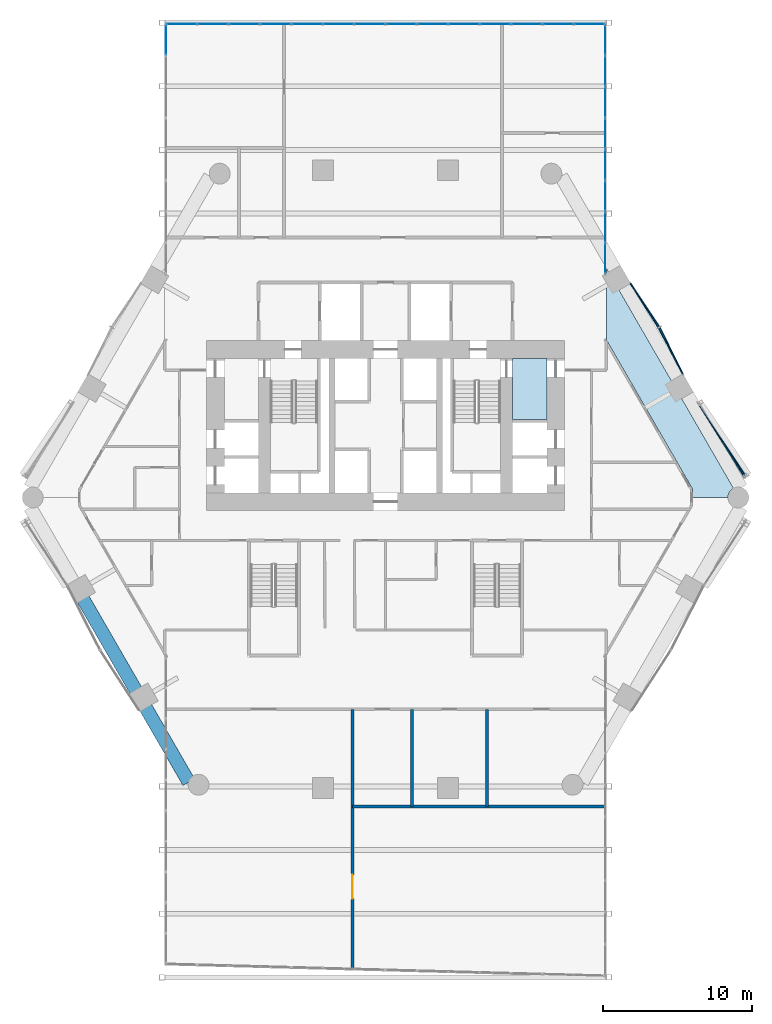
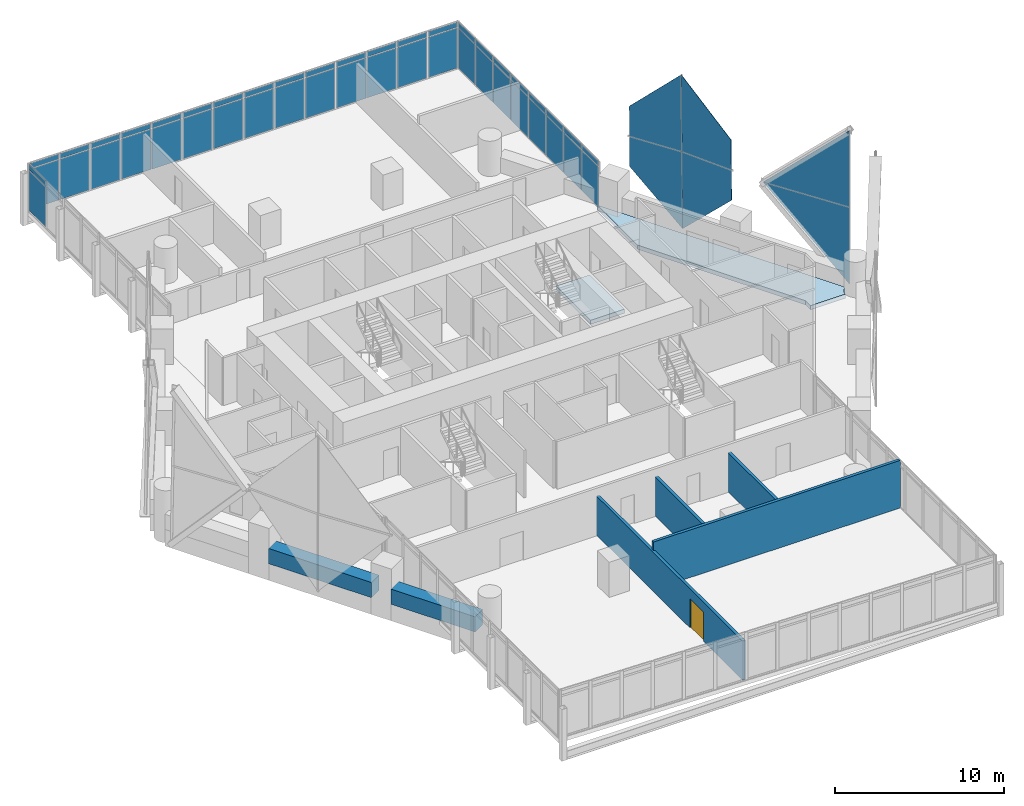
# One storey, part 25 of 35: 52 plates, 6 walls, 2 slabs, 1 door, 1 opening, 7 elements without a shape of their own.
"""IFC4 building model written with IfcOpenShell, lengths in metres."""

from ifc_helpers import new_model, si_unit, direction, frame, frame_2d, origin, origin_2d, place, context, subcontext, project, spatial, polyline, rectangle, outline, extrude, material, layer, layer_set, type_object, element, fill, aggregate, save


model = new_model("IFC4")

# Units and contexts
model_context = context("Model", 3, precision=1e-05, world=origin(), true_north=direction((0.0, 1.0)))
body_context = subcontext(model_context, "Body", "Model", "MODEL_VIEW")
ifc_project = project(units=[si_unit("LENGTHUNIT", "METRE"), si_unit("AREAUNIT", "SQUARE_METRE"), si_unit("VOLUMEUNIT", "CUBIC_METRE"), si_unit("PLANEANGLEUNIT", "RADIAN"), si_unit("MASSUNIT", "GRAM", prefix="KILO")], contexts=[model_context])

# Site, building, storey
site_placement = place(None, origin())
site = spatial("IfcSite", under=ifc_project, at=site_placement, CompositionType="ELEMENT")
building_placement = place(site_placement, origin())
building = spatial("IfcBuilding", under=site, at=building_placement, Name="Ostrander Bayou Hotel Tower", CompositionType="ELEMENT")
storey_placement = place(building_placement, frame((0.0, 0.0, 69.25)))
storey = spatial("IfcBuildingStorey", under=building, at=storey_placement, Name="L17", CompositionType="ELEMENT", Elevation=69.25)

# Curtain wall, plates
ifc_material_1 = material(Name="Aluminium and clear glass", Category="aluminium")
curtain_wall_type_1 = type_object("IfcCurtainWallType", Name="CW-BAR glazed wall", PredefinedType="NOTDEFINED", material=ifc_material_1)
curtain_wall_1_placement = place(storey_placement, origin())
curtain_wall_1 = element("IfcCurtainWall", 1, at=curtain_wall_1_placement, inside=storey, type_object=curtain_wall_type_1, Name="CW-BAR L17:SB1N:E", PredefinedType="NOTDEFINED")
ifc_material_2 = material(Name="Clear laminated glass", Category="glass")
ifc_layer_1 = layer(ifc_material_2, 0.028076171875)
ifc_layer_set_1 = layer_set([ifc_layer_1], Name="CW-BR glazing panel 28 mm")
plate_type_1 = type_object("IfcPlateType", Name="CW-BR glazing panel 28 mm", PredefinedType="CURTAIN_PANEL", material=ifc_layer_set_1)
plate_1_placement = place(storey_placement, frame((-14.712158203125, 29.824951171875, 0.06005859375), z_axis=(0.0, 0.0, 1.0), x_axis=(0.0, 1.0, 0.0)))
plate_1 = element("IfcPlate", 2, at=plate_1_placement, type_object=plate_type_1, Name="CW-BAR panel 8.1", PredefinedType="CURTAIN_PANEL", context=body_context, shape_type="SweptSolid", body=[
    extrude(rectangle(XDim=2.00244140625, YDim=0.028076171875, at=origin_2d()), origin(), (0.0, 0.0, 1.0), 2.909912109375),
])
plate_2_placement = place(storey_placement, frame((-14.712158203125, 29.824951171875, 3.02978515625), z_axis=(0.0, 0.0, 1.0), x_axis=(0.0, 1.0, 0.0)))
plate_2 = element("IfcPlate", 3, at=plate_2_placement, type_object=plate_type_1, Name="CW-BAR panel 8.2", PredefinedType="CURTAIN_PANEL", context=body_context, shape_type="SweptSolid", body=[
    extrude(rectangle(XDim=2.00244140625, YDim=0.028076171875, at=origin_2d()), origin(), (0.0, 0.0, 1.0), 0.360107421875),
])
aggregate(curtain_wall_1, [plate_1, plate_2])

curtain_wall_2_placement = place(storey_placement, origin())
curtain_wall_2 = element("IfcCurtainWall", 4, at=curtain_wall_2_placement, inside=storey, type_object=curtain_wall_type_1, Name="CW-BAR L17:SB1N:T", PredefinedType="NOTDEFINED")
plate_3_placement = place(storey_placement, frame((-13.646240234375, 30.88623046875, 0.06005859375), z_axis=(0.0, 0.0, 1.0), x_axis=(1.0, 0.0, 0.0)))
plate_3 = element("IfcPlate", 5, at=plate_3_placement, type_object=plate_type_1, Name="CW-BAR panel 1.1", PredefinedType="CURTAIN_PANEL", context=body_context, shape_type="SweptSolid", body=[
    extrude(rectangle(XDim=2.01171875, YDim=0.028076171875, at=origin_2d()), origin(), (0.0, 0.0, 1.0), 2.909912109375),
])
plate_4_placement = place(storey_placement, frame((-13.646240234375, 30.88623046875, 3.02978515625), z_axis=(0.0, 0.0, 1.0), x_axis=(1.0, 0.0, 0.0)))
plate_4 = element("IfcPlate", 6, at=plate_4_placement, type_object=plate_type_1, Name="CW-BAR panel 1.2", PredefinedType="CURTAIN_PANEL", context=body_context, shape_type="SweptSolid", body=[
    extrude(rectangle(XDim=2.01171875, YDim=0.028076171875, at=origin_2d()), origin(), (0.0, 0.0, 1.0), 0.360107421875),
])
plate_5_placement = place(storey_placement, frame((-11.5595703125, 30.88623046875, 0.06005859375), z_axis=(0.0, 0.0, 1.0), x_axis=(1.0, 0.0, 0.0)))
plate_5 = element("IfcPlate", 7, at=plate_5_placement, type_object=plate_type_1, Name="CW-BAR panel 2.1", PredefinedType="CURTAIN_PANEL", context=body_context, shape_type="SweptSolid", body=[
    extrude(rectangle(XDim=2.041748046875, YDim=0.028076171875, at=origin_2d()), origin(), (0.0, 0.0, 1.0), 2.909912109375),
])
plate_6_placement = place(storey_placement, frame((-11.5595703125, 30.88623046875, 3.02978515625), z_axis=(0.0, 0.0, 1.0), x_axis=(1.0, 0.0, 0.0)))
plate_6 = element("IfcPlate", 8, at=plate_6_placement, type_object=plate_type_1, Name="CW-BAR panel 2.2", PredefinedType="CURTAIN_PANEL", context=body_context, shape_type="SweptSolid", body=[
    extrude(rectangle(XDim=2.041748046875, YDim=0.028076171875, at=origin_2d()), origin(), (0.0, 0.0, 1.0), 0.360107421875),
])
plate_7_placement = place(storey_placement, frame((-9.457763671875, 30.88623046875, 0.06005859375), z_axis=(0.0, 0.0, 1.0), x_axis=(1.0, 0.0, 0.0)))
plate_7 = element("IfcPlate", 9, at=plate_7_placement, type_object=plate_type_1, Name="CW-BAR panel 3.1", PredefinedType="CURTAIN_PANEL", context=body_context, shape_type="SweptSolid", body=[
    extrude(rectangle(XDim=2.041748046875, YDim=0.028076171875, at=origin_2d()), origin(), (0.0, 0.0, 1.0), 2.909912109375),
])
plate_8_placement = place(storey_placement, frame((-9.457763671875, 30.88623046875, 3.02978515625), z_axis=(0.0, 0.0, 1.0), x_axis=(1.0, 0.0, 0.0)))
plate_8 = element("IfcPlate", 10, at=plate_8_placement, type_object=plate_type_1, Name="CW-BAR panel 3.2", PredefinedType="CURTAIN_PANEL", context=body_context, shape_type="SweptSolid", body=[
    extrude(rectangle(XDim=2.041748046875, YDim=0.028076171875, at=origin_2d()), origin(), (0.0, 0.0, 1.0), 0.360107421875),
])
plate_9_placement = place(storey_placement, frame((-7.356201171875, 30.88623046875, 0.06005859375), z_axis=(0.0, 0.0, 1.0), x_axis=(1.0, 0.0, 0.0)))
plate_9 = element("IfcPlate", 11, at=plate_9_placement, type_object=plate_type_1, Name="CW-BAR panel 4.1", PredefinedType="CURTAIN_PANEL", context=body_context, shape_type="SweptSolid", body=[
    extrude(rectangle(XDim=2.041748046875, YDim=0.028076171875, at=origin_2d()), origin(), (0.0, 0.0, 1.0), 2.909912109375),
])
plate_10_placement = place(storey_placement, frame((-7.356201171875, 30.88623046875, 3.02978515625), z_axis=(0.0, 0.0, 1.0), x_axis=(1.0, 0.0, 0.0)))
plate_10 = element("IfcPlate", 12, at=plate_10_placement, type_object=plate_type_1, Name="CW-BAR panel 4.2", PredefinedType="CURTAIN_PANEL", context=body_context, shape_type="SweptSolid", body=[
    extrude(rectangle(XDim=2.041748046875, YDim=0.028076171875, at=origin_2d()), origin(), (0.0, 0.0, 1.0), 0.360107421875),
])
plate_11_placement = place(storey_placement, frame((-5.25439453125, 30.88623046875, 0.06005859375), z_axis=(0.0, 0.0, 1.0), x_axis=(1.0, 0.0, 0.0)))
plate_11 = element("IfcPlate", 13, at=plate_11_placement, type_object=plate_type_1, Name="CW-BAR panel 5.1", PredefinedType="CURTAIN_PANEL", context=body_context, shape_type="SweptSolid", body=[
    extrude(rectangle(XDim=2.041748046875, YDim=0.028076171875, at=origin_2d()), origin(), (0.0, 0.0, 1.0), 2.909912109375),
])
plate_12_placement = place(storey_placement, frame((-5.25439453125, 30.88623046875, 3.02978515625), z_axis=(0.0, 0.0, 1.0), x_axis=(1.0, 0.0, 0.0)))
plate_12 = element("IfcPlate", 14, at=plate_12_placement, type_object=plate_type_1, Name="CW-BAR panel 5.2", PredefinedType="CURTAIN_PANEL", context=body_context, shape_type="SweptSolid", body=[
    extrude(rectangle(XDim=2.041748046875, YDim=0.028076171875, at=origin_2d()), origin(), (0.0, 0.0, 1.0), 0.360107421875),
])
plate_13_placement = place(storey_placement, frame((-3.152587890625, 30.88623046875, 0.06005859375), z_axis=(0.0, 0.0, 1.0), x_axis=(1.0, 0.0, 0.0)))
plate_13 = element("IfcPlate", 15, at=plate_13_placement, type_object=plate_type_1, Name="CW-BAR panel 6.1", PredefinedType="CURTAIN_PANEL", context=body_context, shape_type="SweptSolid", body=[
    extrude(rectangle(XDim=2.041748046875, YDim=0.028076171875, at=origin_2d()), origin(), (0.0, 0.0, 1.0), 2.909912109375),
])
plate_14_placement = place(storey_placement, frame((-3.152587890625, 30.88623046875, 3.02978515625), z_axis=(0.0, 0.0, 1.0), x_axis=(1.0, 0.0, 0.0)))
plate_14 = element("IfcPlate", 16, at=plate_14_placement, type_object=plate_type_1, Name="CW-BAR panel 6.2", PredefinedType="CURTAIN_PANEL", context=body_context, shape_type="SweptSolid", body=[
    extrude(rectangle(XDim=2.041748046875, YDim=0.028076171875, at=origin_2d()), origin(), (0.0, 0.0, 1.0), 0.360107421875),
])
plate_15_placement = place(storey_placement, frame((-1.05078125, 30.88623046875, 0.06005859375), z_axis=(0.0, 0.0, 1.0), x_axis=(1.0, 0.0, 0.0)))
plate_15 = element("IfcPlate", 17, at=plate_15_placement, type_object=plate_type_1, Name="CW-BAR panel 7.1", PredefinedType="CURTAIN_PANEL", context=body_context, shape_type="SweptSolid", body=[
    extrude(rectangle(XDim=2.041748046875, YDim=0.028076171875, at=origin_2d()), origin(), (0.0, 0.0, 1.0), 2.909912109375),
])
plate_16_placement = place(storey_placement, frame((-1.05078125, 30.88623046875, 3.02978515625), z_axis=(0.0, 0.0, 1.0), x_axis=(1.0, 0.0, 0.0)))
plate_16 = element("IfcPlate", 18, at=plate_16_placement, type_object=plate_type_1, Name="CW-BAR panel 7.2", PredefinedType="CURTAIN_PANEL", context=body_context, shape_type="SweptSolid", body=[
    extrude(rectangle(XDim=2.041748046875, YDim=0.028076171875, at=origin_2d()), origin(), (0.0, 0.0, 1.0), 0.360107421875),
])
plate_17_placement = place(storey_placement, frame((1.05078125, 30.88623046875, 0.06005859375), z_axis=(0.0, 0.0, 1.0), x_axis=(1.0, 0.0, 0.0)))
plate_17 = element("IfcPlate", 19, at=plate_17_placement, type_object=plate_type_1, Name="CW-BAR panel 8.1", PredefinedType="CURTAIN_PANEL", context=body_context, shape_type="SweptSolid", body=[
    extrude(rectangle(XDim=2.041748046875, YDim=0.028076171875, at=origin_2d()), origin(), (0.0, 0.0, 1.0), 2.909912109375),
])
plate_18_placement = place(storey_placement, frame((1.05078125, 30.88623046875, 3.02978515625), z_axis=(0.0, 0.0, 1.0), x_axis=(1.0, 0.0, 0.0)))
plate_18 = element("IfcPlate", 20, at=plate_18_placement, type_object=plate_type_1, Name="CW-BAR panel 8.2", PredefinedType="CURTAIN_PANEL", context=body_context, shape_type="SweptSolid", body=[
    extrude(rectangle(XDim=2.041748046875, YDim=0.028076171875, at=origin_2d()), origin(), (0.0, 0.0, 1.0), 0.360107421875),
])
plate_19_placement = place(storey_placement, frame((3.152587890625, 30.88623046875, 0.06005859375), z_axis=(0.0, 0.0, 1.0), x_axis=(1.0, 0.0, 0.0)))
plate_19 = element("IfcPlate", 21, at=plate_19_placement, type_object=plate_type_1, Name="CW-BAR panel 9.1", PredefinedType="CURTAIN_PANEL", context=body_context, shape_type="SweptSolid", body=[
    extrude(rectangle(XDim=2.041748046875, YDim=0.028076171875, at=origin_2d()), origin(), (0.0, 0.0, 1.0), 2.909912109375),
])
plate_20_placement = place(storey_placement, frame((3.152587890625, 30.88623046875, 3.02978515625), z_axis=(0.0, 0.0, 1.0), x_axis=(1.0, 0.0, 0.0)))
plate_20 = element("IfcPlate", 22, at=plate_20_placement, type_object=plate_type_1, Name="CW-BAR panel 9.2", PredefinedType="CURTAIN_PANEL", context=body_context, shape_type="SweptSolid", body=[
    extrude(rectangle(XDim=2.041748046875, YDim=0.028076171875, at=origin_2d()), origin(), (0.0, 0.0, 1.0), 0.360107421875),
])
plate_21_placement = place(storey_placement, frame((5.25439453125, 30.88623046875, 0.06005859375), z_axis=(0.0, 0.0, 1.0), x_axis=(1.0, 0.0, 0.0)))
plate_21 = element("IfcPlate", 23, at=plate_21_placement, type_object=plate_type_1, Name="CW-BAR panel 10.1", PredefinedType="CURTAIN_PANEL", context=body_context, shape_type="SweptSolid", body=[
    extrude(rectangle(XDim=2.041748046875, YDim=0.028076171875, at=origin_2d()), origin(), (0.0, 0.0, 1.0), 2.909912109375),
])
plate_22_placement = place(storey_placement, frame((5.25439453125, 30.88623046875, 3.02978515625), z_axis=(0.0, 0.0, 1.0), x_axis=(1.0, 0.0, 0.0)))
plate_22 = element("IfcPlate", 24, at=plate_22_placement, type_object=plate_type_1, Name="CW-BAR panel 10.2", PredefinedType="CURTAIN_PANEL", context=body_context, shape_type="SweptSolid", body=[
    extrude(rectangle(XDim=2.041748046875, YDim=0.028076171875, at=origin_2d()), origin(), (0.0, 0.0, 1.0), 0.360107421875),
])
plate_23_placement = place(storey_placement, frame((7.356201171875, 30.88623046875, 0.06005859375), z_axis=(0.0, 0.0, 1.0), x_axis=(1.0, 0.0, 0.0)))
plate_23 = element("IfcPlate", 25, at=plate_23_placement, type_object=plate_type_1, Name="CW-BAR panel 11.1", PredefinedType="CURTAIN_PANEL", context=body_context, shape_type="SweptSolid", body=[
    extrude(rectangle(XDim=2.041748046875, YDim=0.028076171875, at=origin_2d()), origin(), (0.0, 0.0, 1.0), 2.909912109375),
])
plate_24_placement = place(storey_placement, frame((7.356201171875, 30.88623046875, 3.02978515625), z_axis=(0.0, 0.0, 1.0), x_axis=(1.0, 0.0, 0.0)))
plate_24 = element("IfcPlate", 26, at=plate_24_placement, type_object=plate_type_1, Name="CW-BAR panel 11.2", PredefinedType="CURTAIN_PANEL", context=body_context, shape_type="SweptSolid", body=[
    extrude(rectangle(XDim=2.041748046875, YDim=0.028076171875, at=origin_2d()), origin(), (0.0, 0.0, 1.0), 0.360107421875),
])
plate_25_placement = place(storey_placement, frame((9.457763671875, 30.88623046875, 0.06005859375), z_axis=(0.0, 0.0, 1.0), x_axis=(1.0, 0.0, 0.0)))
plate_25 = element("IfcPlate", 27, at=plate_25_placement, type_object=plate_type_1, Name="CW-BAR panel 12.1", PredefinedType="CURTAIN_PANEL", context=body_context, shape_type="SweptSolid", body=[
    extrude(rectangle(XDim=2.041748046875, YDim=0.028076171875, at=origin_2d()), origin(), (0.0, 0.0, 1.0), 2.909912109375),
])
plate_26_placement = place(storey_placement, frame((9.457763671875, 30.88623046875, 3.02978515625), z_axis=(0.0, 0.0, 1.0), x_axis=(1.0, 0.0, 0.0)))
plate_26 = element("IfcPlate", 28, at=plate_26_placement, type_object=plate_type_1, Name="CW-BAR panel 12.2", PredefinedType="CURTAIN_PANEL", context=body_context, shape_type="SweptSolid", body=[
    extrude(rectangle(XDim=2.041748046875, YDim=0.028076171875, at=origin_2d()), origin(), (0.0, 0.0, 1.0), 0.360107421875),
])
plate_27_placement = place(storey_placement, frame((11.5595703125, 30.88623046875, 0.06005859375), z_axis=(0.0, 0.0, 1.0), x_axis=(1.0, 0.0, 0.0)))
plate_27 = element("IfcPlate", 29, at=plate_27_placement, type_object=plate_type_1, Name="CW-BAR panel 13.1", PredefinedType="CURTAIN_PANEL", context=body_context, shape_type="SweptSolid", body=[
    extrude(rectangle(XDim=2.041748046875, YDim=0.028076171875, at=origin_2d()), origin(), (0.0, 0.0, 1.0), 2.909912109375),
])
plate_28_placement = place(storey_placement, frame((11.5595703125, 30.88623046875, 3.02978515625), z_axis=(0.0, 0.0, 1.0), x_axis=(1.0, 0.0, 0.0)))
plate_28 = element("IfcPlate", 30, at=plate_28_placement, type_object=plate_type_1, Name="CW-BAR panel 13.2", PredefinedType="CURTAIN_PANEL", context=body_context, shape_type="SweptSolid", body=[
    extrude(rectangle(XDim=2.041748046875, YDim=0.028076171875, at=origin_2d()), origin(), (0.0, 0.0, 1.0), 0.360107421875),
])
plate_29_placement = place(storey_placement, frame((13.646240234375, 30.88623046875, 0.06005859375), z_axis=(0.0, 0.0, 1.0), x_axis=(1.0, 0.0, 0.0)))
plate_29 = element("IfcPlate", 31, at=plate_29_placement, type_object=plate_type_1, Name="CW-BAR panel 14.1", PredefinedType="CURTAIN_PANEL", context=body_context, shape_type="SweptSolid", body=[
    extrude(rectangle(XDim=2.01171875, YDim=0.028076171875, at=origin_2d()), origin(), (0.0, 0.0, 1.0), 2.909912109375),
])
plate_30_placement = place(storey_placement, frame((13.646240234375, 30.88623046875, 3.02978515625), z_axis=(0.0, 0.0, 1.0), x_axis=(1.0, 0.0, 0.0)))
plate_30 = element("IfcPlate", 32, at=plate_30_placement, type_object=plate_type_1, Name="CW-BAR panel 14.2", PredefinedType="CURTAIN_PANEL", context=body_context, shape_type="SweptSolid", body=[
    extrude(rectangle(XDim=2.01171875, YDim=0.028076171875, at=origin_2d()), origin(), (0.0, 0.0, 1.0), 0.360107421875),
])
aggregate(curtain_wall_2, [plate_3, plate_4, plate_5, plate_6, plate_7, plate_8, plate_9, plate_10, plate_11, plate_12, plate_13, plate_14, plate_15, plate_16, plate_17, plate_18, plate_19, plate_20, plate_21, plate_22, plate_23, plate_24, plate_25, plate_26, plate_27, plate_28, plate_29, plate_30])

curtain_wall_3_placement = place(storey_placement, origin())
curtain_wall_3 = element("IfcCurtainWall", 33, at=curtain_wall_3_placement, inside=storey, type_object=curtain_wall_type_1, Name="CW-BAR L17:SB1N:W", PredefinedType="NOTDEFINED")
plate_31_placement = place(storey_placement, frame((14.712158203125, 15.2080078125, 0.06005859375), z_axis=(0.0, 0.0, 1.0), x_axis=(0.0, 1.0, 0.0)))
plate_31 = element("IfcPlate", 34, at=plate_31_placement, type_object=plate_type_1, Name="CW-BAR panel 1.1", PredefinedType="CURTAIN_PANEL", context=body_context, shape_type="SweptSolid", body=[
    extrude(rectangle(XDim=2.00244140625, YDim=0.028076171875, at=origin_2d()), origin(), (0.0, 0.0, 1.0), 2.909912109375),
])
plate_32_placement = place(storey_placement, frame((14.712158203125, 15.2080078125, 3.02978515625), z_axis=(0.0, 0.0, 1.0), x_axis=(0.0, 1.0, 0.0)))
plate_32 = element("IfcPlate", 35, at=plate_32_placement, type_object=plate_type_1, Name="CW-BAR panel 1.2", PredefinedType="CURTAIN_PANEL", context=body_context, shape_type="SweptSolid", body=[
    extrude(rectangle(XDim=2.00244140625, YDim=0.028076171875, at=origin_2d()), origin(), (0.0, 0.0, 1.0), 0.360107421875),
])
plate_33_placement = place(storey_placement, frame((14.712158203125, 17.285400390625, 0.06005859375), z_axis=(0.0, 0.0, 1.0), x_axis=(0.0, 1.0, 0.0)))
plate_33 = element("IfcPlate", 36, at=plate_33_placement, type_object=plate_type_1, Name="CW-BAR panel 2.1", PredefinedType="CURTAIN_PANEL", context=body_context, shape_type="SweptSolid", body=[
    extrude(rectangle(XDim=2.032470703125, YDim=0.028076171875, at=origin_2d()), origin(), (0.0, 0.0, 1.0), 2.909912109375),
])
plate_34_placement = place(storey_placement, frame((14.712158203125, 17.285400390625, 3.02978515625), z_axis=(0.0, 0.0, 1.0), x_axis=(0.0, 1.0, 0.0)))
plate_34 = element("IfcPlate", 37, at=plate_34_placement, type_object=plate_type_1, Name="CW-BAR panel 2.2", PredefinedType="CURTAIN_PANEL", context=body_context, shape_type="SweptSolid", body=[
    extrude(rectangle(XDim=2.032470703125, YDim=0.028076171875, at=origin_2d()), origin(), (0.0, 0.0, 1.0), 0.360107421875),
])
plate_35_placement = place(storey_placement, frame((14.712158203125, 19.3779296875, 0.06005859375), z_axis=(0.0, 0.0, 1.0), x_axis=(0.0, 1.0, 0.0)))
plate_35 = element("IfcPlate", 38, at=plate_35_placement, type_object=plate_type_1, Name="CW-BAR panel 3.1", PredefinedType="CURTAIN_PANEL", context=body_context, shape_type="SweptSolid", body=[
    extrude(rectangle(XDim=2.032470703125, YDim=0.028076171875, at=origin_2d()), origin(), (0.0, 0.0, 1.0), 2.909912109375),
])
plate_36_placement = place(storey_placement, frame((14.712158203125, 19.3779296875, 3.02978515625), z_axis=(0.0, 0.0, 1.0), x_axis=(0.0, 1.0, 0.0)))
plate_36 = element("IfcPlate", 39, at=plate_36_placement, type_object=plate_type_1, Name="CW-BAR panel 3.2", PredefinedType="CURTAIN_PANEL", context=body_context, shape_type="SweptSolid", body=[
    extrude(rectangle(XDim=2.032470703125, YDim=0.028076171875, at=origin_2d()), origin(), (0.0, 0.0, 1.0), 0.360107421875),
])
plate_37_placement = place(storey_placement, frame((14.712158203125, 21.47021484375, 0.06005859375), z_axis=(0.0, 0.0, 1.0), x_axis=(0.0, 1.0, 0.0)))
plate_37 = element("IfcPlate", 40, at=plate_37_placement, type_object=plate_type_1, Name="CW-BAR panel 4.1", PredefinedType="CURTAIN_PANEL", context=body_context, shape_type="SweptSolid", body=[
    extrude(rectangle(XDim=2.032470703125, YDim=0.028076171875, at=origin_2d()), origin(), (0.0, 0.0, 1.0), 2.909912109375),
])
plate_38_placement = place(storey_placement, frame((14.712158203125, 21.47021484375, 3.02978515625), z_axis=(0.0, 0.0, 1.0), x_axis=(0.0, 1.0, 0.0)))
plate_38 = element("IfcPlate", 41, at=plate_38_placement, type_object=plate_type_1, Name="CW-BAR panel 4.2", PredefinedType="CURTAIN_PANEL", context=body_context, shape_type="SweptSolid", body=[
    extrude(rectangle(XDim=2.032470703125, YDim=0.028076171875, at=origin_2d()), origin(), (0.0, 0.0, 1.0), 0.360107421875),
])
plate_39_placement = place(storey_placement, frame((14.712158203125, 23.562744140625, 0.06005859375), z_axis=(0.0, 0.0, 1.0), x_axis=(0.0, 1.0, 0.0)))
plate_39 = element("IfcPlate", 42, at=plate_39_placement, type_object=plate_type_1, Name="CW-BAR panel 5.1", PredefinedType="CURTAIN_PANEL", context=body_context, shape_type="SweptSolid", body=[
    extrude(rectangle(XDim=2.032470703125, YDim=0.028076171875, at=origin_2d()), origin(), (0.0, 0.0, 1.0), 2.909912109375),
])
plate_40_placement = place(storey_placement, frame((14.712158203125, 23.562744140625, 3.02978515625), z_axis=(0.0, 0.0, 1.0), x_axis=(0.0, 1.0, 0.0)))
plate_40 = element("IfcPlate", 43, at=plate_40_placement, type_object=plate_type_1, Name="CW-BAR panel 5.2", PredefinedType="CURTAIN_PANEL", context=body_context, shape_type="SweptSolid", body=[
    extrude(rectangle(XDim=2.032470703125, YDim=0.028076171875, at=origin_2d()), origin(), (0.0, 0.0, 1.0), 0.360107421875),
])
plate_41_placement = place(storey_placement, frame((14.712158203125, 25.655029296875, 0.06005859375), z_axis=(0.0, 0.0, 1.0), x_axis=(0.0, 1.0, 0.0)))
plate_41 = element("IfcPlate", 44, at=plate_41_placement, type_object=plate_type_1, Name="CW-BAR panel 6.1", PredefinedType="CURTAIN_PANEL", context=body_context, shape_type="SweptSolid", body=[
    extrude(rectangle(XDim=2.032470703125, YDim=0.028076171875, at=origin_2d()), origin(), (0.0, 0.0, 1.0), 2.909912109375),
])
plate_42_placement = place(storey_placement, frame((14.712158203125, 25.655029296875, 3.02978515625), z_axis=(0.0, 0.0, 1.0), x_axis=(0.0, 1.0, 0.0)))
plate_42 = element("IfcPlate", 45, at=plate_42_placement, type_object=plate_type_1, Name="CW-BAR panel 6.2", PredefinedType="CURTAIN_PANEL", context=body_context, shape_type="SweptSolid", body=[
    extrude(rectangle(XDim=2.032470703125, YDim=0.028076171875, at=origin_2d()), origin(), (0.0, 0.0, 1.0), 0.360107421875),
])
plate_43_placement = place(storey_placement, frame((14.712158203125, 27.74755859375, 0.06005859375), z_axis=(0.0, 0.0, 1.0), x_axis=(0.0, 1.0, 0.0)))
plate_43 = element("IfcPlate", 46, at=plate_43_placement, type_object=plate_type_1, Name="CW-BAR panel 7.1", PredefinedType="CURTAIN_PANEL", context=body_context, shape_type="SweptSolid", body=[
    extrude(rectangle(XDim=2.032470703125, YDim=0.028076171875, at=origin_2d()), origin(), (0.0, 0.0, 1.0), 2.909912109375),
])
plate_44_placement = place(storey_placement, frame((14.712158203125, 27.74755859375, 3.02978515625), z_axis=(0.0, 0.0, 1.0), x_axis=(0.0, 1.0, 0.0)))
plate_44 = element("IfcPlate", 47, at=plate_44_placement, type_object=plate_type_1, Name="CW-BAR panel 7.2", PredefinedType="CURTAIN_PANEL", context=body_context, shape_type="SweptSolid", body=[
    extrude(rectangle(XDim=2.032470703125, YDim=0.028076171875, at=origin_2d()), origin(), (0.0, 0.0, 1.0), 0.360107421875),
])
plate_45_placement = place(storey_placement, frame((14.712158203125, 29.824951171875, 0.06005859375), z_axis=(0.0, 0.0, 1.0), x_axis=(0.0, 1.0, 0.0)))
plate_45 = element("IfcPlate", 48, at=plate_45_placement, type_object=plate_type_1, Name="CW-BAR panel 8.1", PredefinedType="CURTAIN_PANEL", context=body_context, shape_type="SweptSolid", body=[
    extrude(rectangle(XDim=2.00244140625, YDim=0.028076171875, at=origin_2d()), origin(), (0.0, 0.0, 1.0), 2.909912109375),
])
plate_46_placement = place(storey_placement, frame((14.712158203125, 29.824951171875, 3.02978515625), z_axis=(0.0, 0.0, 1.0), x_axis=(0.0, 1.0, 0.0)))
plate_46 = element("IfcPlate", 49, at=plate_46_placement, type_object=plate_type_1, Name="CW-BAR panel 8.2", PredefinedType="CURTAIN_PANEL", context=body_context, shape_type="SweptSolid", body=[
    extrude(rectangle(XDim=2.00244140625, YDim=0.028076171875, at=origin_2d()), origin(), (0.0, 0.0, 1.0), 0.360107421875),
])
aggregate(curtain_wall_3, [plate_31, plate_32, plate_33, plate_34, plate_35, plate_36, plate_37, plate_38, plate_39, plate_40, plate_41, plate_42, plate_43, plate_44, plate_45, plate_46])

# Curtain wall, plate
ifc_material_3 = material(Name="Aluminium and clear glass", Category="aluminium")
curtain_wall_type_2 = type_object("IfcCurtainWallType", Name="CW-LAT lattice glazing", PredefinedType="NOTDEFINED", material=ifc_material_3)
curtain_wall_4_placement = place(storey_placement, origin())
curtain_wall_4 = element("IfcCurtainWall", 50, at=curtain_wall_4_placement, inside=storey, type_object=curtain_wall_type_2, Name="CW-LAT L17 NE 3", PredefinedType="NOTDEFINED")
ifc_material_4 = material(Name="Clear laminated glass", Category="glass")
ifc_layer_2 = layer(ifc_material_4, 0.028076171875)
ifc_layer_set_2 = layer_set([ifc_layer_2], Name="CW-LA glazing panel 28 mm")
plate_type_2 = type_object("IfcPlateType", Name="CW-LA glazing panel 28 mm", PredefinedType="CURTAIN_PANEL", material=ifc_layer_set_2)
plate_47_placement = place(storey_placement, frame((20.94189453125, 5.468505859375, 5.02490234375), z_axis=(0.838682213551, 0.5444144641, 0.015001198323), x_axis=(0.396361983128, -0.591250627808, -0.702367335123)))
plate_47 = element("IfcPlate", 51, at=plate_47_placement, type_object=plate_type_2, Name="CW-LAT panel 1", PredefinedType="CURTAIN_PANEL", context=body_context, shape_type="SweptSolid", body=[
    extrude(outline(polyline([(0.0, 0.0), (8.008629841844586, 0.0), (4.087541605758468, -4.034186962848201), (0.0, 0.0)])), origin(), (0.0, 0.0, -1.0), 0.028076171875),
])

curtain_wall_5_placement = place(storey_placement, origin())
curtain_wall_5 = element("IfcCurtainWall", 52, at=curtain_wall_5_placement, inside=storey, type_object=curtain_wall_type_2, Name="CW-LAT L17 NE 4", PredefinedType="NOTDEFINED")
plate_48_placement = place(storey_placement, frame((20.94189453125, 5.468505859375, 5.02490234375), z_axis=(0.838682510601, 0.544414656924, 0.014977574528), x_axis=(0.381612363757, -0.607058323383, 0.697030986283)))
plate_48 = element("IfcPlate", 53, at=plate_48_placement, type_object=plate_type_2, Name="CW-LAT panel 2", PredefinedType="CURTAIN_PANEL", context=body_context, shape_type="SweptSolid", body=[
    extrude(outline(polyline([(0.0, 0.0), (8.069942528663018, 0.0), (4.117568099043483, 4.003535160300248), (0.0, 0.0)])), origin(), (0.0, 0.0, -1.0), 0.028076171875),
])

curtain_wall_6_placement = place(storey_placement, origin())
curtain_wall_6 = element("IfcCurtainWall", 54, at=curtain_wall_6_placement, inside=storey, type_object=curtain_wall_type_2, Name="CW-LAT L17 NE 1", PredefinedType="NOTDEFINED")
plate_49_placement = place(storey_placement, frame((19.949462890625, 7.485595703125, 2.824951171875), z_axis=(0.890830456983, 0.454104442949, 0.014500062265), x_axis=(-0.31551346129, 0.641285935948, -0.699430914458)))
plate_49 = element("IfcPlate", 55, at=plate_49_placement, type_object=plate_type_2, Name="CW-LAT panel 3", PredefinedType="CURTAIN_PANEL", context=body_context, shape_type="SweptSolid", body=[
    extrude(outline(polyline([(0.0, 0.0), (4.896910760761479, 0.0), (0.9586477230237729, 4.017138815095574), (-1.5386255355365324, 1.5727130016443094), (0.0, 0.0)])), origin(), (0.0, 0.0, -1.0), 0.028076171875),
])
aggregate(curtain_wall_6, [plate_49])

curtain_wall_7_placement = place(storey_placement, origin())
curtain_wall_7 = element("IfcCurtainWall", 56, at=curtain_wall_7_placement, inside=storey, type_object=curtain_wall_type_2, Name="CW-LAT L17 NE 2", PredefinedType="NOTDEFINED")
plate_50_placement = place(storey_placement, frame((19.892333984375, 7.45703125, 7.22900390625), z_axis=(0.890812284621, 0.454138087968, 0.014562644885), x_axis=(-0.333432425041, 0.63159825052, 0.699933188148)))
plate_50 = element("IfcPlate", 57, at=plate_50_placement, type_object=plate_type_2, Name="CW-LAT panel 4", PredefinedType="CURTAIN_PANEL", context=body_context, shape_type="SweptSolid", body=[
    extrude(outline(polyline([(0.0, 0.0), (4.887464245375154, 4.440892098500626e-16), (0.9525567784471318, -4.020430062708749), (-1.5429962210209358, -1.5742480314211573), (0.0, 0.0)])), origin(), (0.0, 0.0, -1.0), 0.028076171875),
])
aggregate(curtain_wall_7, [plate_50])

# Plate
plate_51_placement = place(storey_placement, frame((16.45751953125, 13.533935546875, 2.82470703125), z_axis=(0.838687047106, 0.544420390768, 0.014507761105), x_axis=(0.397611911394, -0.593888121792, -0.699429529482)))
plate_51 = element("IfcPlate", 58, at=plate_51_placement, type_object=plate_type_2, Name="CW-LAT panel 5", PredefinedType="CURTAIN_PANEL", context=body_context, shape_type="SweptSolid", body=[
    extrude(outline(polyline([(0.0, 0.0), (4.896570764553433, -8.881784197001252e-16), (0.9584871197510063, -4.0173146787364935), (-1.5387810481524409, -1.5729034140896319), (0.0, 0.0)])), origin(), (0.0, 0.0, -1.0), 0.028076171875),
])

aggregate(curtain_wall_4, [plate_47, plate_51])

plate_52_placement = place(storey_placement, frame((16.404296875, 13.49853515625, 7.22900390625), z_axis=(0.838702938514, 0.544394460646, 0.014562010381), x_axis=(0.380250319554, -0.604542922173, 0.699955391242)))
plate_52 = element("IfcPlate", 59, at=plate_52_placement, type_object=plate_type_2, Name="CW-LAT panel 6", PredefinedType="CURTAIN_PANEL", context=body_context, shape_type="SweptSolid", body=[
    extrude(outline(polyline([(0.0, 0.0), (4.8873092819029065, 0.0), (0.9522793546182502, 4.020310203676297), (-1.5431877019973639, 1.5740602342002674), (0.0, 0.0)])), origin(), (0.0, 0.0, -1.0), 0.028076171875),
])

aggregate(curtain_wall_5, [plate_48, plate_52])

# Slabs
ifc_material_5 = material(Name="Concrete f'c 40 MPa", Category="concrete")
ifc_layer_3 = layer(ifc_material_5, 0.300048828125)
ifc_layer_set_3 = layer_set([ifc_layer_3], Name="SL1 floor slab 300 mm f'c 40 MPa")
slab_type_1 = type_object("IfcSlabType", Name="SL1 floor slab 300 mm f'c 40 MPa", PredefinedType="FLOOR", material=ifc_layer_set_3)
slab_1_placement = place(storey_placement, frame((0.0, 0.0, -0.300048828125)))
element("IfcSlab", 60, at=slab_1_placement, inside=storey, type_object=slab_type_1, Name="cslab:L17:003", PredefinedType="FLOOR", context=body_context, shape_type="SweptSolid", body=[
    extrude(outline(polyline([(10.800048828125, 4.39990234375), (10.800048828125, 8.5), (8.5, 8.5), (8.5, 4.39990234375), (10.800048828125, 4.39990234375)])), origin(), (0.0, 0.0, 1.0), 0.300048828125),
])
ifc_material_6 = material(Name="Concrete f'c 40 MPa", Category="concrete")
ifc_layer_4 = layer(ifc_material_6, 0.300048828125)
ifc_layer_set_4 = layer_set([ifc_layer_4], Name="SL4 loggia slab 300 mm f'c 40 MPa")
slab_type_2 = type_object("IfcSlabType", Name="SL4 loggia slab 300 mm f'c 40 MPa", PredefinedType="FLOOR", material=ifc_layer_set_4)
slab_2_placement = place(storey_placement, frame((0.0, 0.0, -0.300048828125)))
element("IfcSlab", 61, at=slab_2_placement, inside=storey, type_object=slab_type_2, Name="SL4 LOGGIA L17 NE 1", PredefinedType="FLOOR", context=body_context, shape_type="SweptSolid", body=[
    extrude(outline(polyline([(14.787109375, 14.55126953125), (17.75, 9.41943359375), (19.154052734375, 6.98779296875), (20.01708984375, 5.492919921875), (23.227783203125, -0.068359375), (23.227783203125, -0.24609375), (23.1337890625, -0.3232421875), (23.046630859375, -0.429443359375), (22.982177734375, -0.55029296875), (22.942138671875, -0.681640625), (22.9287109375, -0.818359375), (20.543212890625, -0.818359375), (20.543212890625, -0.21826171875), (14.787109375, 9.751220703125), (14.787109375, 14.55126953125)])), origin(), (0.0, 0.0, 1.0), 0.300048828125),
])

# Walls
ifc_material_7 = material(Name="Limestone masonry", Category="masonry")
ifc_layer_5 = layer(ifc_material_7, 0.89990234375)
ifc_layer_set_5 = layer_set([ifc_layer_5], Name="PA2 limestone parapet 900 mm")
wall_type_1 = type_object("IfcWallType", Name="PA2 limestone parapet 900 mm", PredefinedType="PARAPET", material=ifc_layer_set_5)
wall_1_placement = place(storey_placement, frame((-20.252197265625, -7.621826171875, 0.0), z_axis=(0.0, 0.0, 1.0), x_axis=(0.499997206141, -0.866027016814, 0.0)))
element("IfcWall", 62, at=wall_1_placement, inside=storey, type_object=wall_type_1, Name="PA2 L17 SW-2", PredefinedType="PARAPET", context=body_context, shape_type="SweptSolid", body=[
    extrude(rectangle(XDim=7.05078125, YDim=0.89990234375, at=frame_2d((3.525390625, 0.0))), origin(), (0.0, 0.0, 1.0), 1.10009765625),
])
wall_2_placement = place(storey_placement, frame((-16.056884765625, -14.888671875, 0.0), z_axis=(0.0, 0.0, 1.0), x_axis=(0.500014818852, -0.866016847947, 0.0)))
element("IfcWall", 63, at=wall_2_placement, inside=storey, type_object=wall_type_1, Name="PA2 L17 SW-3", PredefinedType="PARAPET", context=body_context, shape_type="SweptSolid", body=[
    extrude(rectangle(XDim=5.758544921875, YDim=0.89990234375, at=frame_2d((2.87939453125, 0.0))), origin(), (0.0, 0.0, 1.0), 1.10009765625),
])
ifc_material_8 = material(Name="Gypsum board partition", Category="finish")
ifc_layer_6 = layer(ifc_material_8, 0.199951171875)
ifc_layer_set_6 = layer_set([ifc_layer_6], Name="PT3 demising wall 200 mm acoustic double stud, 1 hour")
wall_type_2 = type_object("IfcWallType", Name="PT3 demising wall 200 mm acoustic double stud, 1 hour", PredefinedType="PARTITIONING", material=ifc_layer_set_6)
wall_3_placement = place(storey_placement, frame((-2.212890625, -21.5, 0.0), z_axis=(0.0, 0.0, 1.0), x_axis=(1.0, 0.0, 0.0)))
element("IfcWall", 64, at=wall_3_placement, inside=storey, type_object=wall_type_2, Name="sw:L17:502", PredefinedType="PARTITIONING", context=body_context, shape_type="SweptSolid", body=[
    extrude(rectangle(XDim=16.906005859375, YDim=0.199951171875, at=frame_2d((8.453125, 0.0))), origin(), (0.0, 0.0, 1.0), 3.449951171875),
])

# Wall, opening, door
wall_4_placement = place(storey_placement, frame((-2.212890625, -32.37109375, 0.0), z_axis=(0.0, 0.0, 1.0), x_axis=(0.0, 1.0, 0.0)))
wall_4 = element("IfcWall", 65, at=wall_4_placement, inside=storey, type_object=wall_type_2, Name="sw:L17:507", PredefinedType="PARTITIONING", context=body_context, shape_type="SweptSolid", body=[
    extrude(rectangle(XDim=17.37109375, YDim=0.199951171875, at=frame_2d((8.685546875, 0.0))), origin(), (0.0, 0.0, 1.0), 2.828125),
])
opening_placement = place(wall_4_placement, frame((4.69091796875, 0.0, 0.0)))
opening = element("IfcOpeningElement", 66, at=opening_placement, cuts=wall_4, Name="Opening T16-1204", PredefinedType="OPENING", context=body_context, shape_type="SweptSolid", body=[
    extrude(rectangle(XDim=1.60009765625, YDim=2.10009765625, at=frame_2d((0.800048828125, 1.050048828125))), frame((0.0, 0.10009765625, 0.0), z_axis=(0.0, -1.0, 0.0), x_axis=(1.0, 0.0, 0.0)), (0.0, 0.0, 1.0), 0.199951171875),
])
ifc_material_9 = material(Name="Timber door leaf", Category="wood")
door_type = type_object("IfcDoorType", Name="D13 double door 1600 x 2100 mm, 1 hour", OperationType="SINGLE_SWING_LEFT", PredefinedType="DOOR", material=ifc_material_9)
door_placement = place(opening_placement, origin())
door = element("IfcDoor", 67, at=door_placement, inside=storey, type_object=door_type, Name="dr:L17:1204", OperationType="DOUBLE_DOOR_SINGLE_SWING", OverallHeight=2.10009765625, OverallWidth=1.60009765625, PredefinedType="DOOR", context=body_context, shape_type="SweptSolid", body=[
    extrude(rectangle(XDim=1.60009765625, YDim=2.10009765625, at=frame_2d((0.800048828125, 1.050048828125))), frame((0.0, 0.02490234375, 0.0), z_axis=(0.0, -1.0, 0.0), x_axis=(1.0, 0.0, 0.0)), (0.0, 0.0, 1.0), 0.050048828125),
])
fill(opening, door)

# Walls
for number, where, z_axis, x_axis, name in (
    (68, (1.787109375, -21.5, 0.0), (0.0, 0.0, 1.0), (0.0, 1.0, 0.0), "sw:L17:508"),
    (69, (6.787109375, -21.5, 0.0), (0.0, 0.0, 1.0), (0.0, 1.0, 0.0), "sw:L17:509"),
):
    element("IfcWall", number, at=place(storey_placement, frame(where, z_axis=z_axis, x_axis=x_axis)), inside=storey, type_object=wall_type_2, Name=name, PredefinedType="PARTITIONING", context=body_context, shape_type="SweptSolid", body=[
        extrude(rectangle(XDim=6.5, YDim=0.199951171875, at=frame_2d((3.25, 0.0))), origin(), (0.0, 0.0, 1.0), 2.828125),
    ])

save(model, "model.ifc")
